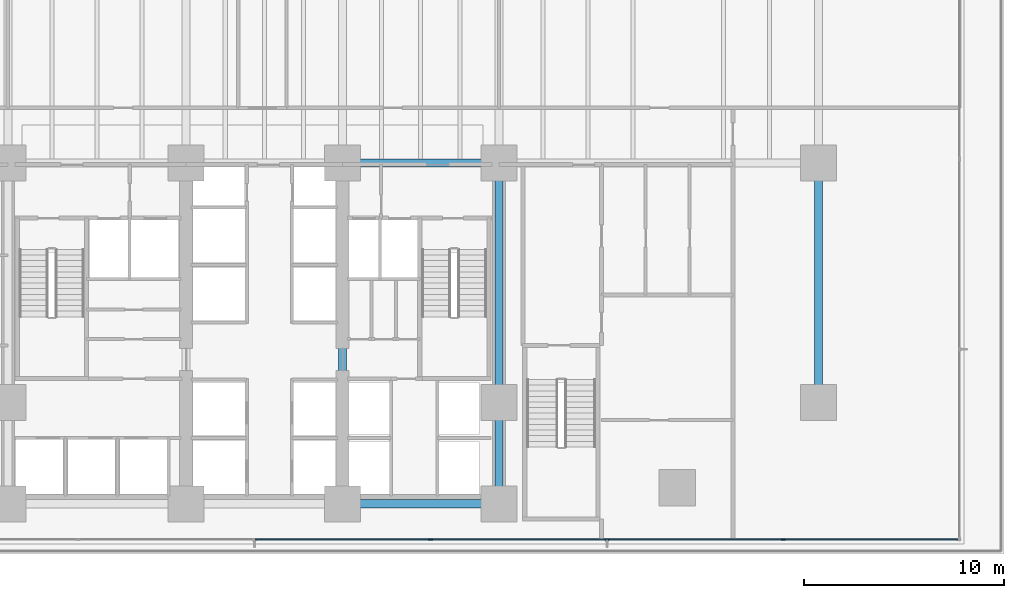
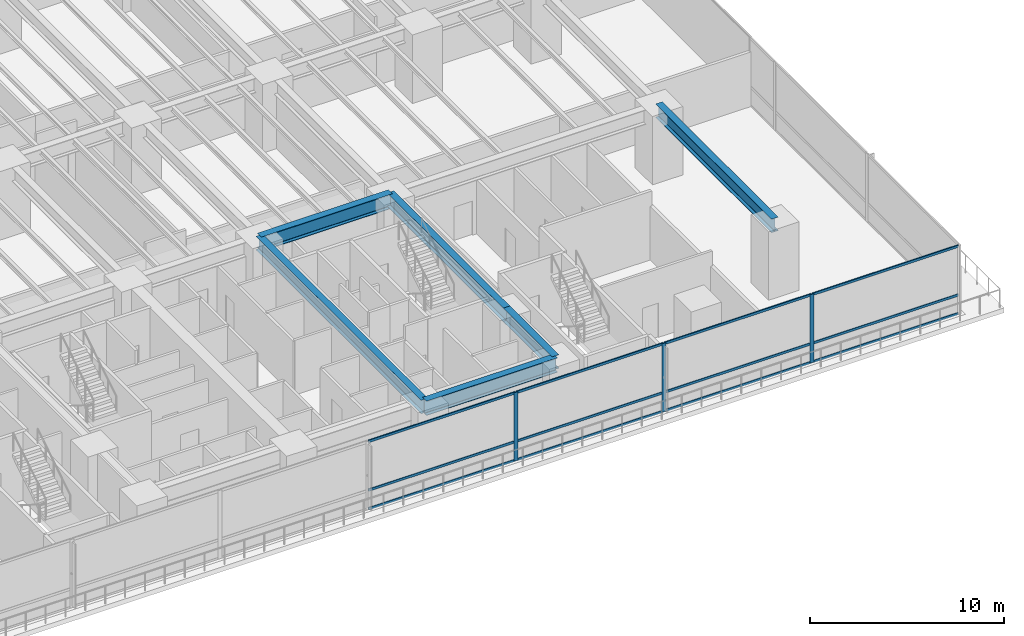
# One storey, part 3 of 26: 15 members, 6 beams, 1 element without a shape of its own.
"""IFC4 building model written with IfcOpenShell, lengths in metres."""

import ifcopenshell
import ifcopenshell.guid

model = None  # the IFC model being written
_history = None  # IfcOwnerHistory: only IFC2X3 demands one
_inside = {}  # id of a spatial element -> (the spatial element, [elements in it])
_under = {}  # id of a project, library or spatial element -> (it, [spatial elements below it])
_declared = {}  # id of a project -> (the project, [libraries it declares])
_typed = {}  # id of a type object -> (the type object, [elements of that type])
_made_of = {}  # id of a material, layer set ... -> (it, [elements and type objects made of it])


def new_model(schema):
    """Start an empty IFC model of exactly this schema.

    Asked for "IFC4X3", IfcOpenShell would pick the latest addendum, in which some entities
    have other attributes; the version numbers below select the first issue.
    IFC2X3 requires an IfcOwnerHistory on every rooted entity: one is made here for all.
    """
    global model, _history
    if schema == "IFC4X3":
        model = ifcopenshell.file(schema_version=(4, 3, 0, 0))
    else:
        model = ifcopenshell.file(schema=schema)
    _inside.clear()
    _under.clear()
    _declared.clear()
    _typed.clear()
    _made_of.clear()
    _history = None
    if model.schema == "IFC2X3":
        org = make("IfcOrganization", Name="unknown")
        user = make(
            "IfcPersonAndOrganization",
            ThePerson=make("IfcPerson", FamilyName="unknown"),
            TheOrganization=org,
        )
        app = make(
            "IfcApplication",
            ApplicationDeveloper=org,
            Version="unknown",
            ApplicationFullName="unknown",
            ApplicationIdentifier="unknown",
        )
        _history = make(
            "IfcOwnerHistory",
            OwningUser=user,
            OwningApplication=app,
            ChangeAction="ADDED",
            CreationDate=0,
        )
    return model


def make(cls, **values):
    """One entity of the class cls with the attributes given. An attribute that is None is left unset."""
    return model.create_entity(
        cls, **{name: value for name, value in values.items() if value is not None}
    )


def rooted(cls, **values):
    """An entity with a GlobalId (a new one), such as an element, a storey or a relation."""
    return make(cls, GlobalId=ifcopenshell.guid.new(), OwnerHistory=_history, **values)


def si_unit(unit_type, name, prefix=None):
    """IfcSIUnit, for example si_unit("LENGTHUNIT", "METRE", prefix="MILLI")."""
    return make("IfcSIUnit", UnitType=unit_type, Prefix=prefix, Name=name)


def assignment(units):
    """IfcUnitAssignment: the units of a project."""
    return None if units is None else make("IfcUnitAssignment", Units=units)


def point(xyz):
    """IfcCartesianPoint."""
    return None if xyz is None else make("IfcCartesianPoint", Coordinates=xyz)


def direction(xyz):
    """IfcDirection."""
    return None if xyz is None else make("IfcDirection", DirectionRatios=xyz)


def frame(location, z_axis=None, x_axis=None):
    """IfcAxis2Placement3D, a coordinate frame: its origin and axes. An axis left out is left unset."""
    return make(
        "IfcAxis2Placement3D",
        Location=point(location),
        Axis=direction(z_axis),
        RefDirection=direction(x_axis),
    )


def frame_2d(location, x_axis=None):
    """IfcAxis2Placement2D, a coordinate frame in the plane: its origin and x axis."""
    return make(
        "IfcAxis2Placement2D", Location=point(location), RefDirection=direction(x_axis)
    )


def origin():
    """The frame at (0, 0, 0) with its axes left unset."""
    return frame((0.0, 0.0, 0.0))


def origin_2d():
    """The frame at (0, 0) in the plane with its x axis left unset."""
    return frame_2d((0.0, 0.0))


def place(relative_to, where):
    """IfcLocalPlacement: puts the frame where relative to a parent placement (None: the world)."""
    return make(
        "IfcLocalPlacement", PlacementRelTo=relative_to, RelativePlacement=where
    )


def context(
    kind, dimensions, precision=None, world=None, true_north=None, identifier=None
):
    """IfcGeometricRepresentationContext, for example the 3D "Model" context."""
    return make(
        "IfcGeometricRepresentationContext",
        ContextIdentifier=identifier,
        ContextType=kind,
        CoordinateSpaceDimension=dimensions,
        Precision=precision,
        WorldCoordinateSystem=world,
        TrueNorth=true_north,
    )


def subcontext(parent, identifier, kind, view, scale=None):
    """IfcGeometricRepresentationSubContext, for example "Body" below "Model"."""
    return make(
        "IfcGeometricRepresentationSubContext",
        ContextIdentifier=identifier,
        ContextType=kind,
        ParentContext=parent,
        TargetScale=scale,
        TargetView=view,
    )


def project(units=None, contexts=None):
    """IfcProject with its units and contexts."""
    return rooted(
        "IfcProject",
        Name="project",
        RepresentationContexts=contexts,
        UnitsInContext=assignment(units),
    )


def spatial(cls, under=None, at=None, **own):
    """A site, building, storey or space (cls), placed at a placement, below another one or the project."""
    s = rooted(cls, ObjectPlacement=at, **own)
    if under is not None:
        _under.setdefault(under.id(), (under, []))[1].append(s)
    return s


def profile(cls, at=None, kind="AREA", **sizes):
    """A parametric profile (cls). Its sizes go by their IFC names, for example OverallWidth=200.0."""
    return make(cls, ProfileType=kind, Position=at, **sizes)


def rectangle(**sizes):
    """IfcRectangleProfileDef."""
    return profile("IfcRectangleProfileDef", **sizes)


def i_section(**sizes):
    """IfcIShapeProfileDef."""
    return profile("IfcIShapeProfileDef", **sizes)


def extrude(swept, where, along, depth):
    """IfcExtrudedAreaSolid: the profile swept, set in the frame where, extruded along a direction by depth."""
    return make(
        "IfcExtrudedAreaSolid",
        SweptArea=swept,
        Position=where,
        ExtrudedDirection=direction(along),
        Depth=depth,
    )


def shape(context_of_items, identifier, shape_type, items):
    """IfcShapeRepresentation: the items that make up one representation, for example the "Body"."""
    return make(
        "IfcShapeRepresentation",
        ContextOfItems=context_of_items,
        RepresentationIdentifier=identifier,
        RepresentationType=shape_type,
        Items=items,
    )


def material(Name=None, Category=None):
    """IfcMaterial."""
    return make("IfcMaterial", Name=Name, Category=Category)


def layer(
    of_material, thickness, ventilated=None, Name=None, Category=None, Priority=None
):
    """IfcMaterialLayer: one layer of a wall or slab, of a material (None: an air gap)."""
    return make(
        "IfcMaterialLayer",
        Material=of_material,
        LayerThickness=thickness,
        IsVentilated=ventilated,
        Name=Name,
        Category=Category,
        Priority=Priority,
    )


def layer_set(layers, Name=None):
    """IfcMaterialLayerSet."""
    return make("IfcMaterialLayerSet", MaterialLayers=layers, LayerSetName=Name)


def material_profile(
    of_material, cross_section, Name=None, Category=None, Priority=None
):
    """IfcMaterialProfile: a cross section and its material."""
    return make(
        "IfcMaterialProfile",
        Name=Name,
        Material=of_material,
        Profile=cross_section,
        Priority=Priority,
        Category=Category,
    )


def profile_set(profiles, Name=None, composite=None):
    """IfcMaterialProfileSet."""
    return make(
        "IfcMaterialProfileSet",
        Name=Name,
        MaterialProfiles=profiles,
        CompositeProfile=composite,
    )


def made_of(thing, what):
    """Note that an element or type object is made of a material, layer set ...; save() writes the relation."""
    if what is not None:
        _made_of.setdefault(what.id(), (what, []))[1].append(thing)
    return thing


def type_object(cls, material=None, **own):
    """A type object (cls), such as IfcWallType, which elements share."""
    return made_of(rooted(cls, **own), material)


def element(
    cls,
    number,
    at=None,
    inside=None,
    cuts=None,
    type_object=None,
    material=None,
    context=None,
    identifier="Body",
    shape_type=None,
    held_by="IfcProductDefinitionShape",
    body=None,
    shapes=None,
    **own,
):
    """One element of the class cls, such as IfcWall. Its Tag is "e" and its number.

    at: its placement. inside: the storey or other place that contains it. cuts: it is an
    opening in that element (IfcRelVoidsElement). A single representation is given by context,
    identifier, shape_type and body (its items); several are given by shapes. held_by: the class
    of the entity that holds the representations. save() writes the other relations.
    """
    e = rooted(cls, Tag="e%d" % number, ObjectPlacement=at, **own)
    if body is not None:
        shapes = [shape(context, identifier, shape_type, body)]
    if shapes is not None:
        e.Representation = make(held_by, Representations=shapes)
    if inside is not None:
        _inside.setdefault(inside.id(), (inside, []))[1].append(e)
    if cuts is not None:
        rooted(
            "IfcRelVoidsElement", RelatingBuildingElement=cuts, RelatedOpeningElement=e
        )
    if type_object is not None:
        _typed.setdefault(type_object.id(), (type_object, []))[1].append(e)
    return made_of(e, material)


def aggregate(whole, parts):
    """IfcRelAggregates: a whole, such as a stair, and the parts it consists of."""
    return rooted("IfcRelAggregates", RelatingObject=whole, RelatedObjects=parts)


def save(model, path):
    """Write the relations noted so far, then the file.

    IfcRelAggregates (storeys below a building ...), IfcRelContainedInSpatialStructure (elements
    in a storey), IfcRelDefinesByType, IfcRelAssociatesMaterial and IfcRelDeclares: one each for
    every whole, place, type object, material and project.
    """
    for whole, parts in _under.values():
        aggregate(whole, parts)
    for where, things in _inside.values():
        rooted(
            "IfcRelContainedInSpatialStructure",
            RelatedElements=things,
            RelatingStructure=where,
        )
    for kind, things in _typed.values():
        rooted("IfcRelDefinesByType", RelatedObjects=things, RelatingType=kind)
    for what, things in _made_of.values():
        rooted("IfcRelAssociatesMaterial", RelatedObjects=things, RelatingMaterial=what)
    for by, libraries in _declared.values():
        rooted("IfcRelDeclares", RelatingContext=by, RelatedDefinitions=libraries)
    model.write(path)


model = new_model("IFC4")

# Units and contexts
model_context = context("Model", 3, precision=1e-05, world=origin(), true_north=direction((0.0, 1.0)))
body_context = subcontext(model_context, "Body", "Model", "MODEL_VIEW")
ifc_project = project(units=[si_unit("LENGTHUNIT", "METRE"), si_unit("AREAUNIT", "SQUARE_METRE"), si_unit("VOLUMEUNIT", "CUBIC_METRE"), si_unit("PLANEANGLEUNIT", "RADIAN"), si_unit("MASSUNIT", "GRAM", prefix="KILO")], contexts=[model_context])

# Site, building, storey
site_placement = place(None, origin())
site = spatial("IfcSite", under=ifc_project, at=site_placement, CompositionType="ELEMENT")
building_placement = place(site_placement, origin())
building = spatial("IfcBuilding", under=site, at=building_placement, Name="Qalmaran Belvedere Hotel", CompositionType="ELEMENT")
storey_placement = place(building_placement, frame((0.0, 0.0, 19.199951171875)))
storey = spatial("IfcBuildingStorey", under=building, at=storey_placement, Name="L04", CompositionType="ELEMENT", Elevation=19.199951171875)

# Beams
ifc_material_1 = material(Name="Steel S355JR", Category="steel")
ifc_material_profile_1 = material_profile(ifc_material_1, i_section(OverallWidth=0.41796875, OverallDepth=0.912109375, WebThickness=0.019287109375, FlangeThickness=0.031982421875, FilletRadius=0.02392578125, at=origin_2d()), Name="W920X342")
ifc_profile_set_1 = profile_set([ifc_material_profile_1], Name="Steel S355JR")
beam_type_1 = type_object("IfcBeamType", Name="BM-PG2-W920X342", PredefinedType="USERDEFINED", material=ifc_profile_set_1)
for number, where, z_axis, x_axis, name in (
    (1, (37.0, 3.5, 3.843994140625), (1.0, 0.0, 0.0), (0.0, 1.0, 0.0), "L04 Podium Primary Girder GX03"),
    (2, (37.0, 20.5, 3.843994140625), (1.0, 0.0, 0.0), (0.0, 1.0, 0.0), "L04 Podium Primary Girder GX10"),
):
    element("IfcBeam", number, at=place(storey_placement, frame(where, z_axis=z_axis, x_axis=x_axis)), inside=storey, type_object=beam_type_1, Name=name, ObjectType="GIRDER", PredefinedType="USERDEFINED", context=body_context, shape_type="SweptSolid", body=[
        extrude(i_section(OverallWidth=0.41796875, OverallDepth=0.912109375, WebThickness=0.019287109375, FlangeThickness=0.031982421875, FilletRadius=0.02392578125, at=origin_2d()), origin(), (0.0, 0.0, 1.0), 7.800048828125),
    ])
ifc_material_profile_2 = material_profile(ifc_material_1, i_section(OverallWidth=0.39990234375, OverallDepth=0.85498046875, WebThickness=0.018310546875, FlangeThickness=0.029296875, FilletRadius=0.02392578125, at=origin_2d()), Name="W840X299")
ifc_profile_set_2 = profile_set([ifc_material_profile_2], Name="Steel S355JR")
beam_type_2 = type_object("IfcBeamType", Name="BM-PG3-W840X299", PredefinedType="USERDEFINED", material=ifc_profile_set_2)
beam_1_placement = place(storey_placement, frame((37.0, 3.5, 3.87255859375), z_axis=(0.0, 1.0, 0.0), x_axis=(-1.0, 0.0, 0.0)))
element("IfcBeam", 3, at=beam_1_placement, inside=storey, type_object=beam_type_2, Name="L04 Podium Transverse Girder GY31", ObjectType="GIRDER", PredefinedType="USERDEFINED", context=body_context, shape_type="SweptSolid", body=[
    extrude(i_section(OverallWidth=0.39990234375, OverallDepth=0.85498046875, WebThickness=0.018310546875, FlangeThickness=0.029296875, FilletRadius=0.02392578125, at=origin_2d()), origin(), (0.0, 0.0, 1.0), 17.0),
])
beam_2_placement = place(storey_placement, frame((44.800048828125, 3.5, 3.87255859375), z_axis=(0.0, 1.0, 0.0), x_axis=(-1.0, 0.0, 0.0)))
element("IfcBeam", 4, at=beam_2_placement, inside=storey, type_object=beam_type_2, Name="L04 Podium Transverse Girder GY34", ObjectType="GIRDER", PredefinedType="USERDEFINED", context=body_context, shape_type="SweptSolid", body=[
    extrude(i_section(OverallWidth=0.39990234375, OverallDepth=0.85498046875, WebThickness=0.018310546875, FlangeThickness=0.029296875, FilletRadius=0.02392578125, at=origin_2d()), origin(), (0.0, 0.0, 1.0), 5.050048828125),
])
for number, where, z_axis, x_axis, name in (
    (5, (44.800048828125, 8.550048828125, 3.87255859375), (0.0, 1.0, 0.0), (-1.0, 0.0, 0.0), "L04 Podium Transverse Girder GY35"),
    (6, (60.75, 8.550048828125, 3.87255859375), (0.0, 1.0, 0.0), (-1.0, 0.0, 0.0), "L04 Podium Transverse Girder GY39"),
):
    element("IfcBeam", number, at=place(storey_placement, frame(where, z_axis=z_axis, x_axis=x_axis)), inside=storey, type_object=beam_type_2, Name=name, ObjectType="GIRDER", PredefinedType="USERDEFINED", context=body_context, shape_type="SweptSolid", body=[
        extrude(i_section(OverallWidth=0.39990234375, OverallDepth=0.85498046875, WebThickness=0.018310546875, FlangeThickness=0.029296875, FilletRadius=0.02392578125, at=origin_2d()), origin(), (0.0, 0.0, 1.0), 11.949951171875),
    ])

# Curtain wall, members
ifc_material_2 = material(Name="Anodised Bronze Aluminium", Category="aluminium")
ifc_layer = layer(ifc_material_2, 0.219970703125, Name="Anodised Bronze Aluminium")
ifc_layer_set = layer_set([ifc_layer], Name="Anodised Bronze Aluminium")
curtain_wall_type = type_object("IfcCurtainWallType", Name="CW1-PODIUM-BRONZE", PredefinedType="NOTDEFINED", material=ifc_layer_set)
curtain_wall_placement = place(storey_placement, origin())
curtain_wall = element("IfcCurtainWall", 7, at=curtain_wall_placement, inside=storey, type_object=curtain_wall_type, Name="L04 Curtain Wall CW1", PredefinedType="NOTDEFINED")
ifc_material_profile_3 = material_profile(ifc_material_2, rectangle(XDim=0.074951171875, YDim=0.219970703125, at=origin_2d()), Name="CWM75X220")
ifc_profile_set_3 = profile_set([ifc_material_profile_3], Name="Anodised Bronze Aluminium")
member_type_1 = type_object("IfcMemberType", Name="CWM-75X220", PredefinedType="MULLION", material=ifc_profile_set_3)
member_1_placement = place(storey_placement, frame((41.397216796875, 1.719970703125, 0.0), z_axis=(0.0, 0.0, 1.0), x_axis=(0.0, 1.0, 0.0)))
member_1 = element("IfcMember", 8, at=member_1_placement, type_object=member_type_1, Name="CW1 mullion 5", PredefinedType="MULLION", context=body_context, shape_type="SweptSolid", body=[
    extrude(rectangle(XDim=0.074951171875, YDim=0.219970703125, at=origin_2d()), origin(), (0.0, 0.0, 1.0), 4.300048828125),
])
member_2_placement = place(storey_placement, frame((50.19140625, 1.719970703125, 0.0), z_axis=(0.0, 0.0, 1.0), x_axis=(0.0, 1.0, 0.0)))
member_2 = element("IfcMember", 9, at=member_2_placement, type_object=member_type_1, Name="CW1 mullion 6", PredefinedType="MULLION", context=body_context, shape_type="SweptSolid", body=[
    extrude(rectangle(XDim=0.074951171875, YDim=0.219970703125, at=origin_2d()), origin(), (0.0, 0.0, 1.0), 4.300048828125),
])
member_3_placement = place(storey_placement, frame((58.985595703125, 1.719970703125, 0.0), z_axis=(0.0, 0.0, 1.0), x_axis=(0.0, 1.0, 0.0)))
member_3 = element("IfcMember", 10, at=member_3_placement, type_object=member_type_1, Name="CW1 mullion 7", PredefinedType="MULLION", context=body_context, shape_type="SweptSolid", body=[
    extrude(rectangle(XDim=0.074951171875, YDim=0.219970703125, at=origin_2d()), origin(), (0.0, 0.0, 1.0), 4.300048828125),
])
ifc_material_profile_4 = material_profile(ifc_material_2, rectangle(XDim=0.070068359375, YDim=0.14990234375, at=origin_2d()), Name="CWT70X150")
ifc_profile_set_4 = profile_set([ifc_material_profile_4], Name="Anodised Bronze Aluminium")
member_type_2 = type_object("IfcMemberType", Name="CWT-70X150", PredefinedType="USERDEFINED", material=ifc_profile_set_4)
member_4_placement = place(storey_placement, frame((32.640380859375, 1.719970703125, 0.03515625), z_axis=(1.0, 0.0, 0.0), x_axis=(0.0, 1.0, 0.0)))
member_4 = element("IfcMember", 11, at=member_4_placement, type_object=member_type_2, Name="CW1 transom 4.1", ObjectType="TRANSOM", PredefinedType="USERDEFINED", context=body_context, shape_type="SweptSolid", body=[
    extrude(rectangle(XDim=0.070068359375, YDim=0.14990234375, at=origin_2d()), origin(), (0.0, 0.0, 1.0), 8.71923828125),
])
member_5_placement = place(storey_placement, frame((32.640380859375, 1.719970703125, 1.2041015625), z_axis=(1.0, 0.0, 0.0), x_axis=(0.0, 1.0, 0.0)))
member_5 = element("IfcMember", 12, at=member_5_placement, type_object=member_type_2, Name="CW1 transom 4.2", ObjectType="TRANSOM", PredefinedType="USERDEFINED", context=body_context, shape_type="SweptSolid", body=[
    extrude(rectangle(XDim=0.070068359375, YDim=0.14990234375, at=origin_2d()), origin(), (0.0, 0.0, 1.0), 8.71923828125),
])
member_6_placement = place(storey_placement, frame((32.640380859375, 1.719970703125, 4.26513671875), z_axis=(1.0, 0.0, 0.0), x_axis=(0.0, 1.0, 0.0)))
member_6 = element("IfcMember", 13, at=member_6_placement, type_object=member_type_2, Name="CW1 transom 4.3", ObjectType="TRANSOM", PredefinedType="USERDEFINED", context=body_context, shape_type="SweptSolid", body=[
    extrude(rectangle(XDim=0.070068359375, YDim=0.14990234375, at=origin_2d()), origin(), (0.0, 0.0, 1.0), 8.71923828125),
])
member_7_placement = place(storey_placement, frame((41.4345703125, 1.719970703125, 0.03515625), z_axis=(1.0, 0.0, 0.0), x_axis=(0.0, 1.0, 0.0)))
member_7 = element("IfcMember", 14, at=member_7_placement, type_object=member_type_2, Name="CW1 transom 5.1", ObjectType="TRANSOM", PredefinedType="USERDEFINED", context=body_context, shape_type="SweptSolid", body=[
    extrude(rectangle(XDim=0.070068359375, YDim=0.14990234375, at=origin_2d()), origin(), (0.0, 0.0, 1.0), 8.71923828125),
])
member_8_placement = place(storey_placement, frame((41.4345703125, 1.719970703125, 1.2041015625), z_axis=(1.0, 0.0, 0.0), x_axis=(0.0, 1.0, 0.0)))
member_8 = element("IfcMember", 15, at=member_8_placement, type_object=member_type_2, Name="CW1 transom 5.2", ObjectType="TRANSOM", PredefinedType="USERDEFINED", context=body_context, shape_type="SweptSolid", body=[
    extrude(rectangle(XDim=0.070068359375, YDim=0.14990234375, at=origin_2d()), origin(), (0.0, 0.0, 1.0), 8.71923828125),
])
member_9_placement = place(storey_placement, frame((41.4345703125, 1.719970703125, 4.26513671875), z_axis=(1.0, 0.0, 0.0), x_axis=(0.0, 1.0, 0.0)))
member_9 = element("IfcMember", 16, at=member_9_placement, type_object=member_type_2, Name="CW1 transom 5.3", ObjectType="TRANSOM", PredefinedType="USERDEFINED", context=body_context, shape_type="SweptSolid", body=[
    extrude(rectangle(XDim=0.070068359375, YDim=0.14990234375, at=origin_2d()), origin(), (0.0, 0.0, 1.0), 8.71923828125),
])
member_10_placement = place(storey_placement, frame((50.22900390625, 1.719970703125, 0.03515625), z_axis=(1.0, 0.0, 0.0), x_axis=(0.0, 1.0, 0.0)))
member_10 = element("IfcMember", 17, at=member_10_placement, type_object=member_type_2, Name="CW1 transom 6.1", ObjectType="TRANSOM", PredefinedType="USERDEFINED", context=body_context, shape_type="SweptSolid", body=[
    extrude(rectangle(XDim=0.070068359375, YDim=0.14990234375, at=origin_2d()), origin(), (0.0, 0.0, 1.0), 8.71923828125),
])
member_11_placement = place(storey_placement, frame((50.22900390625, 1.719970703125, 1.2041015625), z_axis=(1.0, 0.0, 0.0), x_axis=(0.0, 1.0, 0.0)))
member_11 = element("IfcMember", 18, at=member_11_placement, type_object=member_type_2, Name="CW1 transom 6.2", ObjectType="TRANSOM", PredefinedType="USERDEFINED", context=body_context, shape_type="SweptSolid", body=[
    extrude(rectangle(XDim=0.070068359375, YDim=0.14990234375, at=origin_2d()), origin(), (0.0, 0.0, 1.0), 8.71923828125),
])
member_12_placement = place(storey_placement, frame((50.22900390625, 1.719970703125, 4.26513671875), z_axis=(1.0, 0.0, 0.0), x_axis=(0.0, 1.0, 0.0)))
member_12 = element("IfcMember", 19, at=member_12_placement, type_object=member_type_2, Name="CW1 transom 6.3", ObjectType="TRANSOM", PredefinedType="USERDEFINED", context=body_context, shape_type="SweptSolid", body=[
    extrude(rectangle(XDim=0.070068359375, YDim=0.14990234375, at=origin_2d()), origin(), (0.0, 0.0, 1.0), 8.71923828125),
])
member_13_placement = place(storey_placement, frame((59.023193359375, 1.719970703125, 0.03515625), z_axis=(1.0, 0.0, 0.0), x_axis=(0.0, 1.0, 0.0)))
member_13 = element("IfcMember", 20, at=member_13_placement, type_object=member_type_2, Name="CW1 transom 7.1", ObjectType="TRANSOM", PredefinedType="USERDEFINED", context=body_context, shape_type="SweptSolid", body=[
    extrude(rectangle(XDim=0.070068359375, YDim=0.14990234375, at=origin_2d()), origin(), (0.0, 0.0, 1.0), 8.681884765625),
])
member_14_placement = place(storey_placement, frame((59.023193359375, 1.719970703125, 1.2041015625), z_axis=(1.0, 0.0, 0.0), x_axis=(0.0, 1.0, 0.0)))
member_14 = element("IfcMember", 21, at=member_14_placement, type_object=member_type_2, Name="CW1 transom 7.2", ObjectType="TRANSOM", PredefinedType="USERDEFINED", context=body_context, shape_type="SweptSolid", body=[
    extrude(rectangle(XDim=0.070068359375, YDim=0.14990234375, at=origin_2d()), origin(), (0.0, 0.0, 1.0), 8.681884765625),
])
member_15_placement = place(storey_placement, frame((59.023193359375, 1.719970703125, 4.26513671875), z_axis=(1.0, 0.0, 0.0), x_axis=(0.0, 1.0, 0.0)))
member_15 = element("IfcMember", 22, at=member_15_placement, type_object=member_type_2, Name="CW1 transom 7.3", ObjectType="TRANSOM", PredefinedType="USERDEFINED", context=body_context, shape_type="SweptSolid", body=[
    extrude(rectangle(XDim=0.070068359375, YDim=0.14990234375, at=origin_2d()), origin(), (0.0, 0.0, 1.0), 8.681884765625),
])
aggregate(curtain_wall, [member_1, member_2, member_3, member_4, member_5, member_6, member_7, member_8, member_9, member_10, member_11, member_12, member_13, member_14, member_15])

save(model, "model.ifc")
